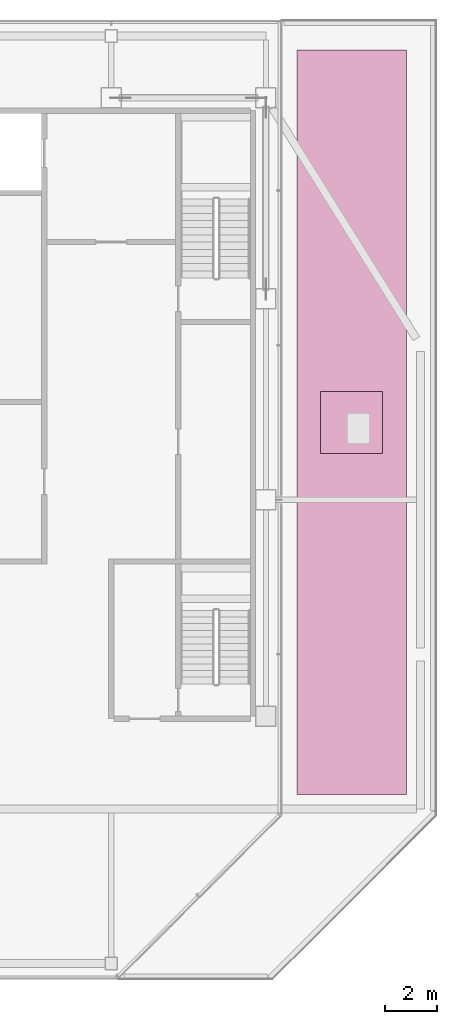
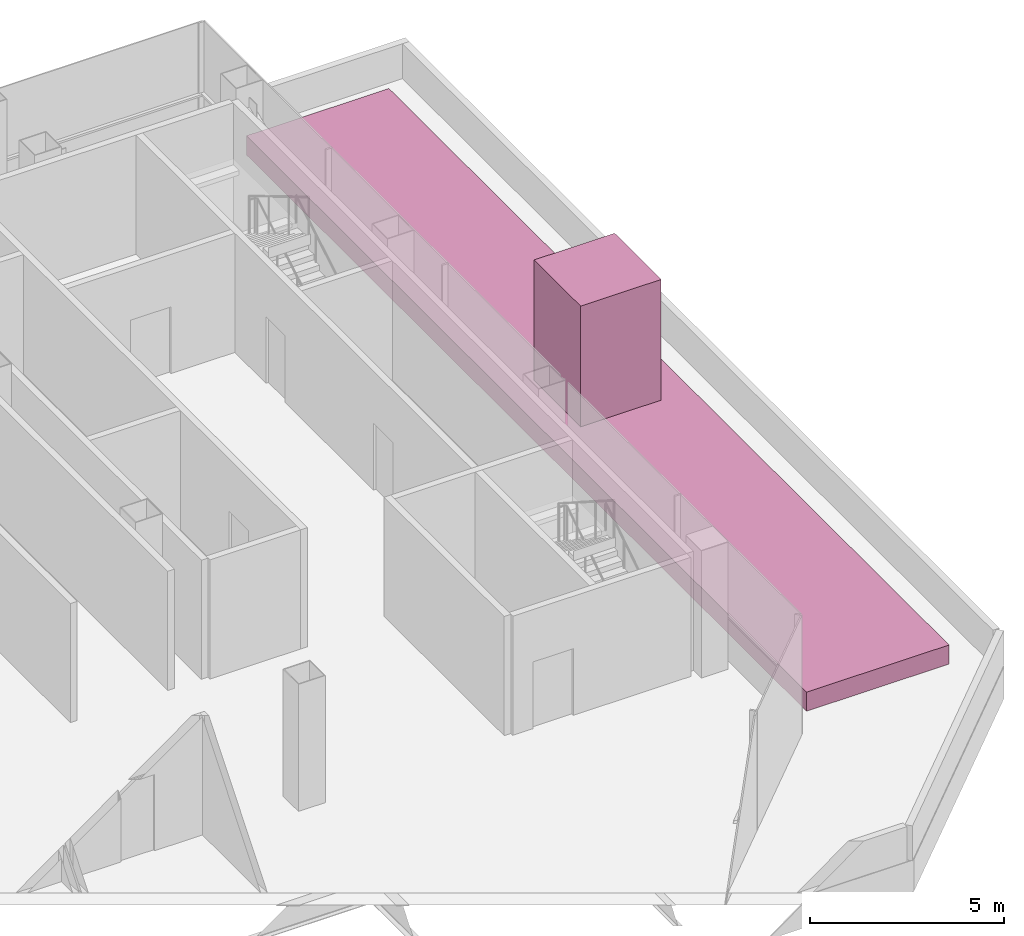
# One storey, part 17 of 17: 2 furniture elements.
"""IFC4 building model written with IfcOpenShell, lengths in metres."""

from ifc_helpers import new_model, si_unit, direction, frame, origin, origin_2d, place, context, subcontext, project, spatial, rectangle, extrude, material, type_object, element, save


model = new_model("IFC4")

# Units and contexts
model_context = context("Model", 3, precision=1e-05, world=origin(), true_north=direction((0.0, 1.0)))
body_context = subcontext(model_context, "Body", "Model", "MODEL_VIEW")
ifc_project = project(units=[si_unit("LENGTHUNIT", "METRE"), si_unit("AREAUNIT", "SQUARE_METRE"), si_unit("VOLUMEUNIT", "CUBIC_METRE"), si_unit("PLANEANGLEUNIT", "RADIAN"), si_unit("MASSUNIT", "GRAM", prefix="KILO")], contexts=[model_context])

# Site, building, storey
site_placement = place(None, origin())
site = spatial("IfcSite", under=ifc_project, at=site_placement, CompositionType="ELEMENT")
building_placement = place(site_placement, origin())
building = spatial("IfcBuilding", under=site, at=building_placement, Name="Sorahane Residences", CompositionType="ELEMENT")
storey_placement = place(building_placement, frame((0.0, 0.0, 341.800048828125)))
storey = spatial("IfcBuildingStorey", under=building, at=storey_placement, Name="L81", CompositionType="ELEMENT", Elevation=341.800048828125)

# Furniture
ifc_material_1 = material(Name="Planting soil with shrubs in a steel-framed bed", Category="steel")
furniture_type_1 = type_object("IfcFurnitureType", Name="PLANTER bed black steel frame with soil 4250x28900", AssemblyPlace="NOTDEFINED", PredefinedType="NOTDEFINED", material=ifc_material_1)
furniture_1_placement = place(storey_placement, frame((45.324951171875, 33.0, 0.0), z_axis=(0.0, 0.0, 1.0), x_axis=(1.0, 0.0, 0.0)))
element("IfcFurniture", 1, at=furniture_1_placement, inside=storey, type_object=furniture_type_1, Name="PLANTER bed L81.2.1", PredefinedType="NOTDEFINED", context=body_context, shape_type="SweptSolid", body=[
    extrude(rectangle(XDim=4.25, YDim=28.89990234375, at=origin_2d()), origin(), (0.0, 0.0, 1.0), 0.60009765625),
])
ifc_material_2 = material(Name="Green foliage shrub planting")
furniture_type_2 = type_object("IfcFurnitureType", Name="PLANTER shrub planting green foliage", AssemblyPlace="NOTDEFINED", PredefinedType="NOTDEFINED", material=ifc_material_2)
furniture_2_placement = place(storey_placement, frame((45.324951171875, 33.0, 0.60009765625), z_axis=(0.0, 0.0, 1.0), x_axis=(1.0, 0.0, 0.0)))
element("IfcFurniture", 2, at=furniture_2_placement, inside=storey, type_object=furniture_type_2, Name="PLANTER shrub L81.2.1", PredefinedType="NOTDEFINED", context=body_context, shape_type="SweptSolid", body=[
    extrude(rectangle(XDim=2.39990234375, YDim=2.39990234375, at=origin_2d()), origin(), (0.0, 0.0, 1.0), 3.800048828125),
])

save(model, "model.ifc")
